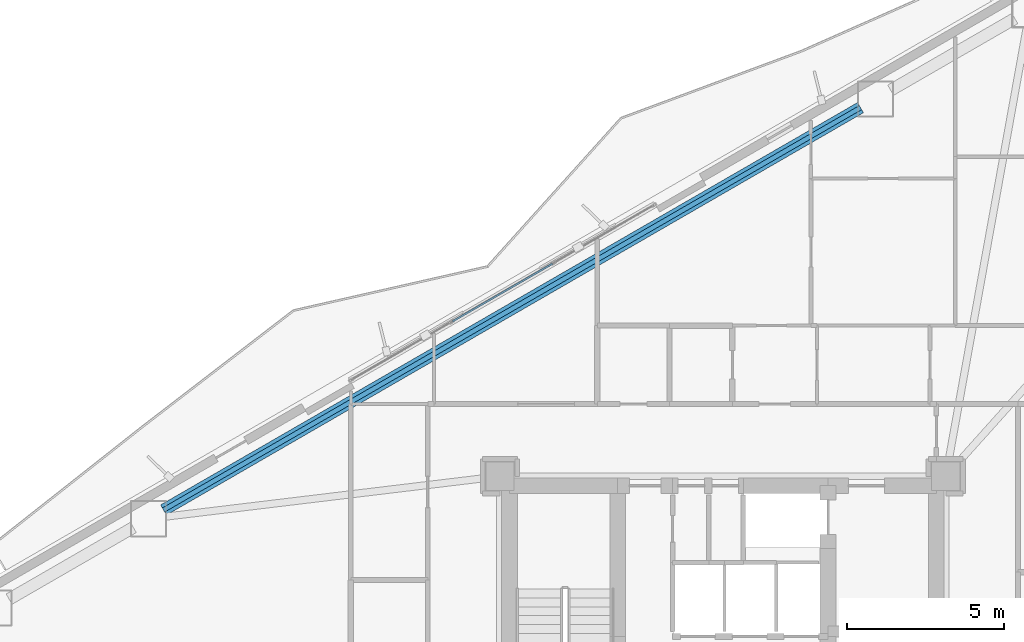
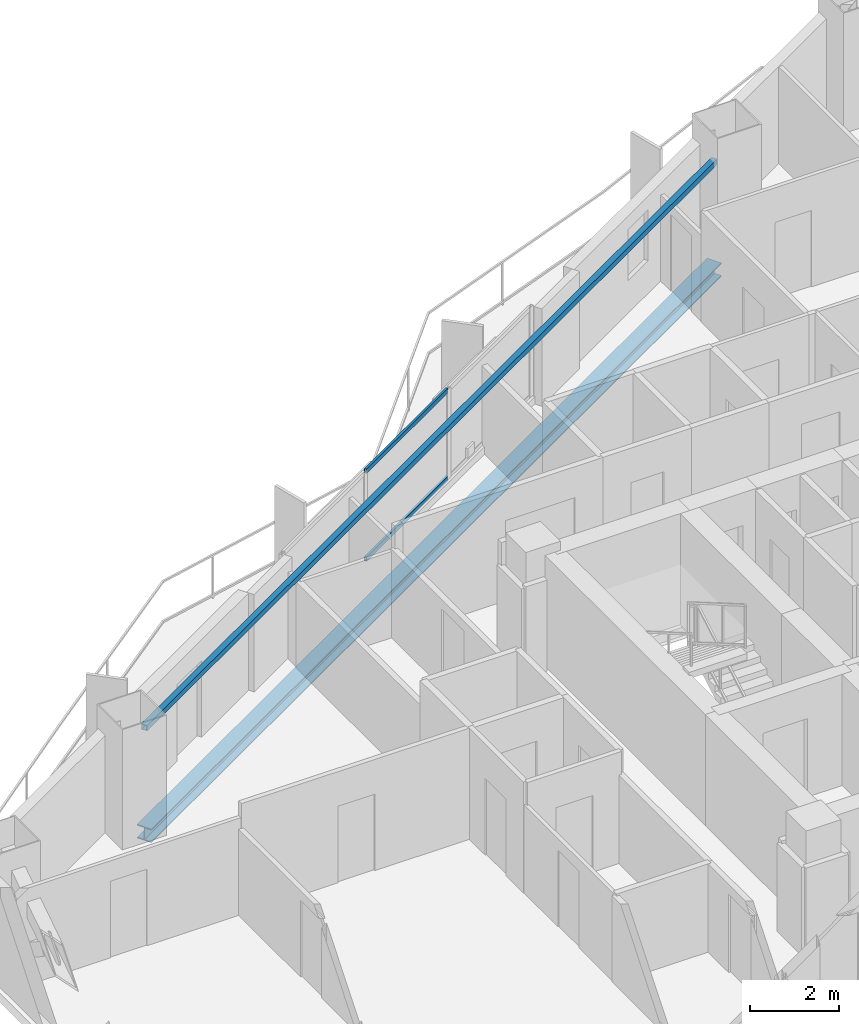
# One storey, part 12 of 23: 2 beams, 2 members, 1 element without a shape of its own.
"""IFC4 building model written with IfcOpenShell, lengths in metres."""

from ifc_helpers import new_model, si_unit, direction, frame, origin, origin_2d, place, context, subcontext, project, spatial, hollow_rectangle, i_section, extrude, material, layer, layer_set, material_profile, profile_set, type_object, element, aggregate, save


model = new_model("IFC4")

# Units and contexts
model_context = context("Model", 3, precision=1e-05, world=origin(), true_north=direction((0.0, 1.0)))
body_context = subcontext(model_context, "Body", "Model", "MODEL_VIEW")
ifc_project = project(units=[si_unit("LENGTHUNIT", "METRE"), si_unit("AREAUNIT", "SQUARE_METRE"), si_unit("VOLUMEUNIT", "CUBIC_METRE"), si_unit("PLANEANGLEUNIT", "RADIAN"), si_unit("MASSUNIT", "GRAM", prefix="KILO")], contexts=[model_context])

# Site, building, storey
site_placement = place(None, origin())
site = spatial("IfcSite", under=ifc_project, at=site_placement, CompositionType="ELEMENT")
building_placement = place(site_placement, origin())
building = spatial("IfcBuilding", under=site, at=building_placement, Name="Mersakhor Tower and Convention Hall", CompositionType="ELEMENT")
storey_placement = place(building_placement, frame((0.0, 0.0, 80.10009765625)))
storey = spatial("IfcBuildingStorey", under=building, at=storey_placement, Name="L21", CompositionType="ELEMENT", Elevation=80.10009765625)

# Beams
ifc_material_1 = material(Name="Steel S355", Category="steel")
ifc_material_profile_1 = material_profile(ifc_material_1, hollow_rectangle(XDim=0.14990234375, YDim=0.14990234375, WallThickness=0.010009765625, at=origin_2d()), Name="SHS 150x150x10")
ifc_profile_set_1 = profile_set([ifc_material_profile_1], Name="Steel S355")
beam_type_1 = type_object("IfcBeamType", Name="BM-GRT-SHS150", PredefinedType="USERDEFINED", material=ifc_profile_set_1)
beam_1_placement = place(storey_placement, frame((11.18310546875, 31.976318359375, 2.47998046875), z_axis=(0.866022538643, 0.500004962538, 0.0), x_axis=(-0.500004962538, 0.866022538643, 0.0)))
element("IfcBeam", 1, at=beam_1_placement, inside=storey, type_object=beam_type_1, Name="L21 Facade Support Girt GRT-F1", ObjectType="GIRT", PredefinedType="USERDEFINED", context=body_context, shape_type="SweptSolid", body=[
    extrude(hollow_rectangle(XDim=0.14990234375, YDim=0.14990234375, WallThickness=0.010009765625, at=origin_2d()), origin(), (0.0, 0.0, 1.0), 25.633544921875),
])
ifc_material_2 = material(Name="Steel S355", Category="steel")
ifc_material_profile_2 = material_profile(ifc_material_2, i_section(OverallWidth=0.374755859375, OverallDepth=0.37451171875, WebThickness=0.0166015625, FlangeThickness=0.027099609375, at=origin_2d()), Name="UC 356x368x202")
ifc_profile_set_2 = profile_set([ifc_material_profile_2], Name="Steel S355")
beam_type_2 = type_object("IfcBeamType", Name="BM-SPD-UC356", PredefinedType="SPANDREL", material=ifc_profile_set_2)
beam_2_placement = place(storey_placement, frame((11.18310546875, 31.976318359375, -0.4375), z_axis=(0.866022538643, 0.500004962538, 0.0), x_axis=(-0.500004962538, 0.866022538643, 0.0)))
element("IfcBeam", 2, at=beam_2_placement, inside=storey, type_object=beam_type_2, Name="L21 Perimeter Spandrel Beam SPB-02", PredefinedType="SPANDREL", context=body_context, shape_type="SweptSolid", body=[
    extrude(i_section(OverallWidth=0.374755859375, OverallDepth=0.37451171875, WebThickness=0.0166015625, FlangeThickness=0.027099609375, at=origin_2d()), origin(), (0.0, 0.0, 1.0), 25.633544921875),
])

# Curtain wall, members
ifc_material_3 = material(Name="Dark solar low-E aluminium curtain wall", Category="aluminium")
ifc_layer = layer(ifc_material_3, 0.159912109375)
ifc_layer_set = layer_set([ifc_layer], Name="Dark solar low-E aluminium curtain wall")
curtain_wall_type = type_object("IfcCurtainWallType", Name="CW-SYS-01", PredefinedType="USERDEFINED", material=ifc_layer_set)
curtain_wall_placement = place(storey_placement, origin())
curtain_wall = element("IfcCurtainWall", 3, at=curtain_wall_placement, inside=storey, type_object=curtain_wall_type, Name="L21 Dark-Glass Curtain Wall F1-B2", ObjectType="CURTAIN WALL", PredefinedType="USERDEFINED")
ifc_material_4 = material(Name="Anodised aluminium EN AW-6063 T6", Category="aluminium")
ifc_material_profile_3 = material_profile(ifc_material_4, hollow_rectangle(XDim=0.06005859375, YDim=0.1201171875, WallThickness=0.0048828125, at=origin_2d()), Name="RHS 120x60x5")
ifc_profile_set_3 = profile_set([ifc_material_profile_3], Name="Anodised aluminium EN AW-6063 T6")
member_type = type_object("IfcMemberType", Name="CWT-120x60", PredefinedType="USERDEFINED", material=ifc_profile_set_3)
member_1_placement = place(storey_placement, frame((20.394287109375, 37.9873046875, 0.22998046875), z_axis=(0.866039286129, 0.499975954304, 0.0), x_axis=(-0.499975954304, 0.866039286129, 0.0)))
member_1 = element("IfcMember", 4, at=member_1_placement, type_object=member_type, Name="CW-01 transom 2.1", ObjectType="TRANSOM", PredefinedType="USERDEFINED", context=body_context, shape_type="SweptSolid", body=[
    extrude(hollow_rectangle(XDim=0.06005859375, YDim=0.1201171875, WallThickness=0.0048828125, at=origin_2d()), origin(), (0.0, 0.0, 1.0), 3.668212890625),
])
member_2_placement = place(storey_placement, frame((20.394287109375, 37.9873046875, 2.639892578125), z_axis=(0.866039286129, 0.499975954304, 0.0), x_axis=(-0.499975954304, 0.866039286129, 0.0)))
member_2 = element("IfcMember", 5, at=member_2_placement, type_object=member_type, Name="CW-01 transom 2.2", ObjectType="TRANSOM", PredefinedType="USERDEFINED", context=body_context, shape_type="SweptSolid", body=[
    extrude(hollow_rectangle(XDim=0.06005859375, YDim=0.1201171875, WallThickness=0.0048828125, at=origin_2d()), origin(), (0.0, 0.0, 1.0), 3.668212890625),
])
aggregate(curtain_wall, [member_1, member_2])

save(model, "model.ifc")
